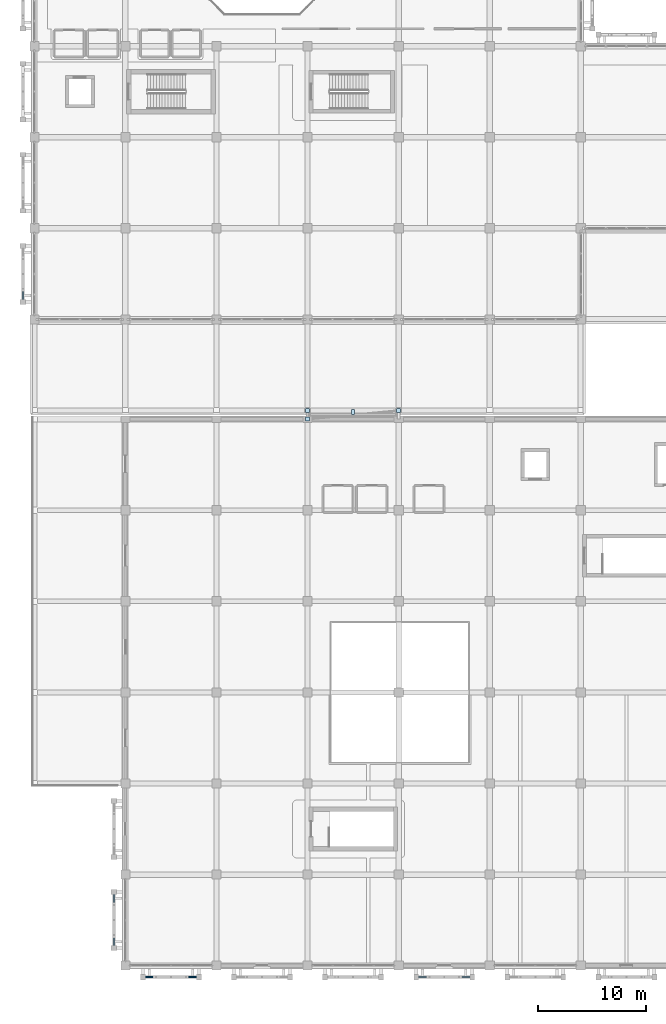
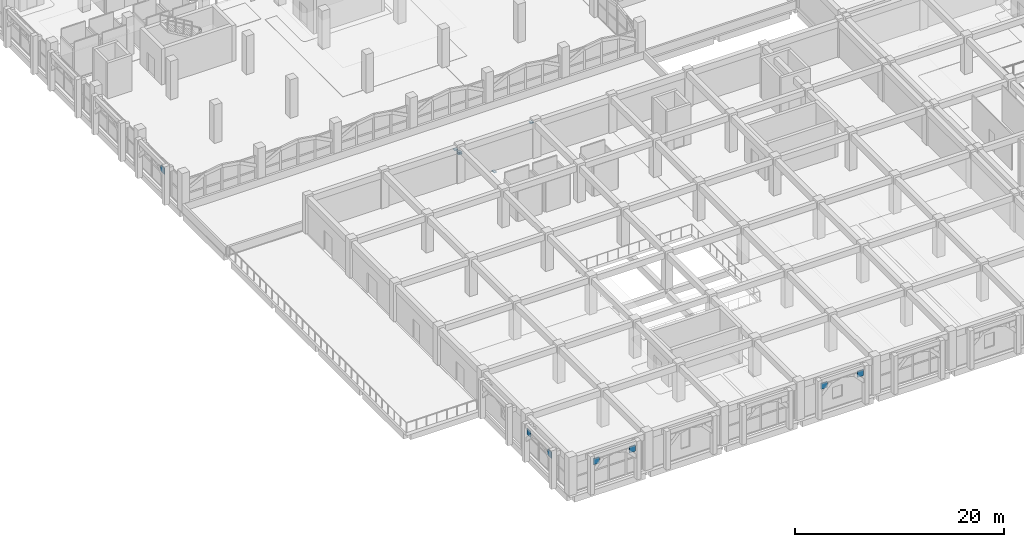
# One storey, part 103 of 129: 12 plates.
"""IFC4 building model written with IfcOpenShell, lengths in metres."""

from ifc_helpers import new_model, si_unit, direction, frame, origin, origin_2d, place, context, subcontext, project, spatial, rectangle, extrude, material, layer, layer_set, type_object, element, save


model = new_model("IFC4")

# Units and contexts
model_context = context("Model", 3, precision=1e-05, world=origin(), true_north=direction((0.0, 1.0)))
body_context = subcontext(model_context, "Body", "Model", "MODEL_VIEW")
ifc_project = project(units=[si_unit("LENGTHUNIT", "METRE"), si_unit("AREAUNIT", "SQUARE_METRE"), si_unit("VOLUMEUNIT", "CUBIC_METRE"), si_unit("PLANEANGLEUNIT", "RADIAN"), si_unit("MASSUNIT", "GRAM", prefix="KILO")], contexts=[model_context])

# Site, building, storey
site_placement = place(None, origin())
site = spatial("IfcSite", under=ifc_project, at=site_placement, CompositionType="ELEMENT")
building_placement = place(site_placement, origin())
building = spatial("IfcBuilding", under=site, at=building_placement, Name="Xazarin Passage Department Store", CompositionType="ELEMENT")
storey_placement = place(building_placement, frame((0.0, 0.0, 9.89990234375)))
storey = spatial("IfcBuildingStorey", under=building, at=storey_placement, Name="L02", CompositionType="ELEMENT", Elevation=9.89990234375)

# Plates
ifc_material_1 = material(Name="Precast concrete C40/50", Category="concrete")
ifc_layer_1 = layer(ifc_material_1, 0.080078125)
ifc_layer_set_1 = layer_set([ifc_layer_1], Name="Precast concrete C40/50")
plate_type_1 = type_object("IfcPlateType", Name="ARC-PLT-SCR-01", PredefinedType="USERDEFINED", material=ifc_layer_set_1)
for number, where, z_axis, x_axis, name in (
    (1, (-1.050048828125, 61.800048828125, 3.26025390625), (0.0, 0.0, 1.0), (0.0, 1.0, 0.0), "L02 V1 Arch Spandrel Tympanum 0081"),
    (2, (35.800048828125, -1.050048828125, 3.26025390625), (0.0, 0.0, 1.0), (1.0, 0.0, 0.0), "L02 V3 Arch Spandrel Tympanum 0241"),
    (3, (39.800048828125, -1.050048828125, 3.26025390625), (0.0, 0.0, 1.0), (1.0, 0.0, 0.0), "L02 V3 Arch Spandrel Tympanum 0242"),
    (4, (7.35009765625, 2.199951171875, 3.26025390625), (0.0, 0.0, 1.0), (0.0, 1.0, 0.0), "L02 V3 Arch Spandrel Tympanum 0281"),
    (5, (7.35009765625, 6.199951171875, 3.26025390625), (0.0, 0.0, 1.0), (0.0, 1.0, 0.0), "L02 V3 Arch Spandrel Tympanum 0282"),
):
    element("IfcPlate", number, at=place(storey_placement, frame(where, z_axis=z_axis, x_axis=x_axis)), inside=storey, type_object=plate_type_1, Name=name, ObjectType="SCREEN PANEL", PredefinedType="USERDEFINED", context=body_context, shape_type="SweptSolid", body=[
        extrude(rectangle(XDim=0.679931640625, YDim=0.080078125, at=origin_2d()), origin(), (0.0, 0.0, 1.0), 0.719970703125),
    ])
ifc_layer_2 = layer(ifc_material_1, 0.10009765625)
ifc_layer_set_2 = layer_set([ifc_layer_2], Name="Precast concrete C40/50")
plate_type_2 = type_object("IfcPlateType", Name="ARC-PLT-SCR-03", PredefinedType="USERDEFINED", material=ifc_layer_set_2)
for number, where, z_axis, x_axis, name in (
    (6, (10.60009765625, -1.050048828125, 3.26025390625), (0.0, 0.0, 1.0), (1.0, 0.0, 0.0), "L02 V3 Arch Spandrel Tympanum 0223"),
    (7, (14.60009765625, -1.050048828125, 3.26025390625), (0.0, 0.0, 1.0), (1.0, 0.0, 0.0), "L02 V3 Arch Spandrel Tympanum 0224"),
):
    element("IfcPlate", number, at=place(storey_placement, frame(where, z_axis=z_axis, x_axis=x_axis)), inside=storey, type_object=plate_type_2, Name=name, ObjectType="SCREEN PANEL", PredefinedType="USERDEFINED", context=body_context, shape_type="SweptSolid", body=[
        extrude(rectangle(XDim=0.679931640625, YDim=0.10009765625, at=origin_2d()), origin(), (0.0, 0.0, 1.0), 0.719970703125),
    ])
ifc_material_2 = material(Name="Steel S355", Category="steel")
ifc_layer_3 = layer(ifc_material_2, 0.030029296875)
ifc_layer_set_3 = layer_set([ifc_layer_3], Name="Steel S355")
plate_type_3 = type_object("IfcPlateType", Name="STR-PLT-BRG30", PredefinedType="USERDEFINED", material=ifc_layer_set_3)
plate_placement = place(storey_placement, frame((29.39990234375, 51.050048828125, -0.72998046875), z_axis=(0.0, 0.0, 1.0), x_axis=(1.0, 0.0, 0.0)))
element("IfcPlate", 8, at=plate_placement, inside=storey, type_object=plate_type_3, Name="L02 BR-V1-V3 PTFE Sliding Bearing Plate", ObjectType="BASE PLATE", PredefinedType="USERDEFINED", context=body_context, shape_type="SweptSolid", body=[
    extrude(rectangle(XDim=0.280029296875, YDim=0.449951171875, at=origin_2d()), origin(), (0.0, 0.0, 1.0), 0.030029296875),
])
ifc_layer_4 = layer(ifc_material_2, 0.02001953125)
ifc_layer_set_4 = layer_set([ifc_layer_4], Name="Steel S355")
plate_type_4 = type_object("IfcPlateType", Name="STR-PLT-CAP20", PredefinedType="USERDEFINED", material=ifc_layer_set_4)
for number, where, z_axis, x_axis, name in (
    (9, (25.199951171875, 50.39990234375, 3.23193359375), (0.0, 0.0, 1.0), (1.0, 0.0, 0.0), "L02 BR-V1-V3 Bridge Member End Cap 1"),
    (10, (25.199951171875, 51.199951171875, 3.23193359375), (0.0, 0.0, 1.0), (1.0, 0.0, 0.0), "L02 BR-V1-V3 Bridge Member End Cap 2"),
    (11, (25.199951171875, 50.39990234375, 3.45703125), (0.0, 0.0, 1.0), (1.0, 0.0, 0.0), "L02 BR-V1-V3 Bridge Member End Cap 3"),
    (12, (33.60009765625, 51.199951171875, 3.45703125), (0.0, 0.0, 1.0), (1.0, 0.0, 0.0), "L02 BR-V1-V3 Bridge Member End Cap 4"),
):
    element("IfcPlate", number, at=place(storey_placement, frame(where, z_axis=z_axis, x_axis=x_axis)), inside=storey, type_object=plate_type_4, Name=name, ObjectType="GUSSET PLATE", PredefinedType="USERDEFINED", context=body_context, shape_type="SweptSolid", body=[
        extrude(rectangle(XDim=0.360107421875, YDim=0.360107421875, at=origin_2d()), origin(), (0.0, 0.0, 1.0), 0.035888671875),
    ])

save(model, "model.ifc")
